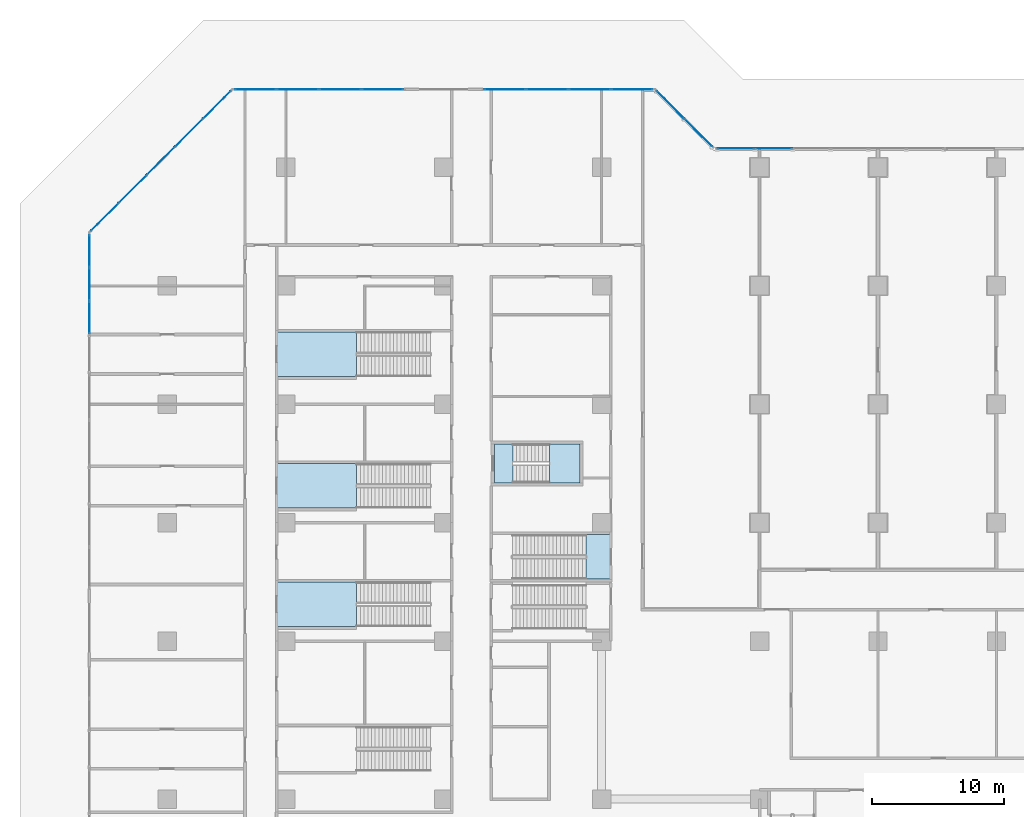
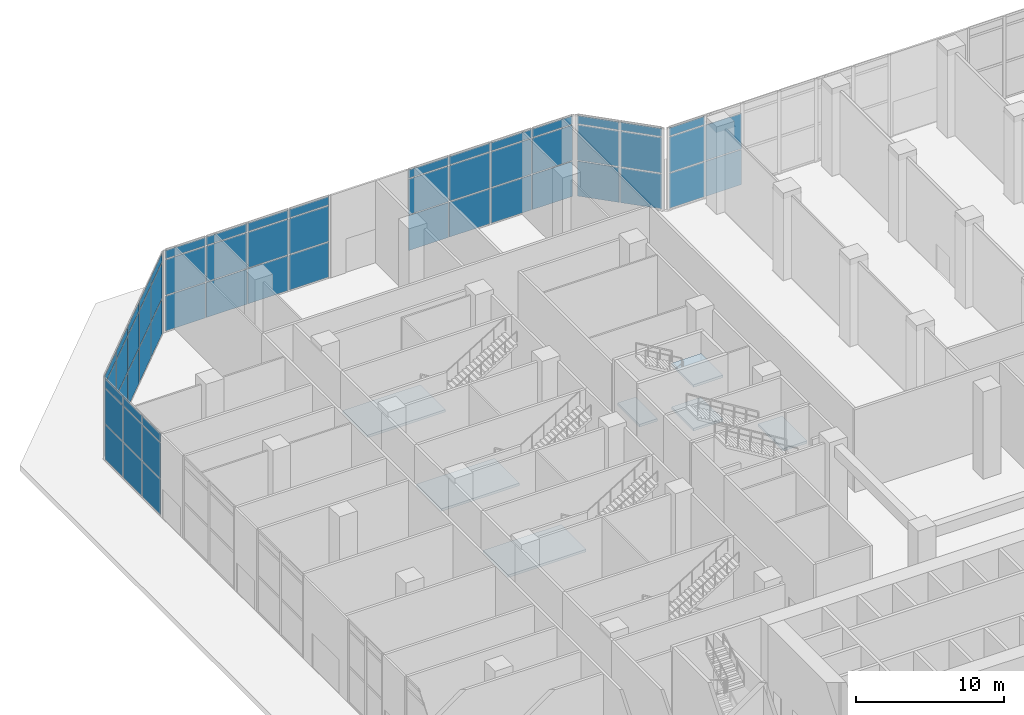
# One storey, part 15 of 34: 59 plates, 7 slabs, 11 elements without a shape of their own.
"""IFC4 building model written with IfcOpenShell, lengths in metres."""

from ifc_helpers import new_model, si_unit, direction, frame, origin, origin_2d, place, context, subcontext, project, spatial, polyline, rectangle, outline, extrude, material, layer, layer_set, type_object, element, aggregate, save


model = new_model("IFC4")

# Units and contexts
model_context = context("Model", 3, precision=1e-05, world=origin(), true_north=direction((0.0, 1.0)))
body_context = subcontext(model_context, "Body", "Model", "MODEL_VIEW")
ifc_project = project(units=[si_unit("LENGTHUNIT", "METRE"), si_unit("AREAUNIT", "SQUARE_METRE"), si_unit("VOLUMEUNIT", "CUBIC_METRE"), si_unit("PLANEANGLEUNIT", "RADIAN"), si_unit("MASSUNIT", "GRAM", prefix="KILO")], contexts=[model_context])

# Site, building, storey
site_placement = place(None, origin())
site = spatial("IfcSite", under=ifc_project, at=site_placement, CompositionType="ELEMENT")
building_placement = place(site_placement, origin())
building = spatial("IfcBuilding", under=site, at=building_placement, Name="Chenar Terraces", CompositionType="ELEMENT")
storey_placement = place(building_placement, origin())
storey = spatial("IfcBuildingStorey", under=building, at=storey_placement, Name="L00", CompositionType="ELEMENT", Elevation=0.0)

# Stair, slabs
ifc_material_1 = material(Name="Reinforced concrete C40/50", Category="concrete")
stair_type = type_object("IfcStairType", Name="Core stair 1400 half-turn", PredefinedType="HALF_TURN_STAIR", material=ifc_material_1)
placement_1 = place(storey_placement, origin())
stair_1 = element("IfcStair", 1, at=placement_1, inside=storey, type_object=stair_type, Name="L00 Stair 4", PredefinedType="HALF_TURN_STAIR")
ifc_material_2 = material(Name="Reinforced concrete C40/50", Category="concrete")
ifc_layer_1 = layer(ifc_material_2, 0.199951171875)
ifc_layer_set_1 = layer_set([ifc_layer_1], Name="Reinforced concrete C40/50")
slab_type = type_object("IfcSlabType", Name="Core stair landing 200", PredefinedType="LANDING", material=ifc_layer_set_1)
slab_1_placement = place(storey_placement, frame((0.0, 0.0, 1.60009765625)))
slab_1 = element("IfcSlab", 2, at=slab_1_placement, type_object=slab_type, Name="ST4 landing 1", PredefinedType="LANDING", context=body_context, shape_type="SweptSolid", body=[
    extrude(outline(polyline([(20.050048828125, 48.02490234375), (22.35009765625, 48.02490234375), (22.35009765625, 50.97509765625), (20.050048828125, 50.97509765625), (20.050048828125, 48.02490234375)])), origin(), (0.0, 0.0, 1.0), 0.199951171875),
])
placement_2 = place(storey_placement, frame((0.0, 0.0, 3.39990234375)))
slab_2 = element("IfcSlab", 3, at=placement_2, type_object=slab_type, Name="ST4 landing 2", PredefinedType="LANDING", context=body_context, shape_type="SweptSolid", body=[
    extrude(outline(polyline([(15.85009765625, 48.02490234375), (17.25, 48.02490234375), (17.25, 50.97509765625), (15.85009765625, 50.97509765625), (15.85009765625, 48.02490234375)])), origin(), (0.0, 0.0, 1.0), 0.2001953125),
])
slab_3_placement = place(storey_placement, frame((0.0, 0.0, 5.199951171875)))
slab_3 = element("IfcSlab", 4, at=slab_3_placement, type_object=slab_type, Name="ST4 landing 3", PredefinedType="LANDING", context=body_context, shape_type="SweptSolid", body=[
    extrude(outline(polyline([(20.050048828125, 48.02490234375), (22.35009765625, 48.02490234375), (22.35009765625, 50.97509765625), (20.050048828125, 50.97509765625), (20.050048828125, 48.02490234375)])), origin(), (0.0, 0.0, 1.0), 0.199951171875),
])
aggregate(stair_1, [slab_1, slab_2, slab_3])

# Stair, slab
stair_2 = element("IfcStair", 5, at=placement_1, inside=storey, type_object=stair_type, Name="L00 Exit stair PS3", PredefinedType="HALF_TURN_STAIR")
slab_4 = element("IfcSlab", 6, at=placement_2, type_object=slab_type, Name="PS3 landing 1", PredefinedType="LANDING", context=body_context, shape_type="SweptSolid", body=[
    extrude(outline(polyline([(5.385009765625, 59.489990234375), (-0.699951171875, 59.489990234375), (-0.699951171875, 56.110107421875), (5.385009765625, 56.110107421875), (5.385009765625, 59.489990234375)])), origin(), (0.0, 0.0, 1.0), 0.2001953125),
])
aggregate(stair_2, [slab_4])

stair_3 = element("IfcStair", 7, at=placement_1, inside=storey, type_object=stair_type, Name="L00 Exit stair PS4", PredefinedType="HALF_TURN_STAIR")
slab_5 = element("IfcSlab", 8, at=placement_2, type_object=slab_type, Name="PS4 landing 1", PredefinedType="LANDING", context=body_context, shape_type="SweptSolid", body=[
    extrude(outline(polyline([(5.385009765625, 49.489990234375), (-0.699951171875, 49.489990234375), (-0.699951171875, 46.110107421875), (5.385009765625, 46.110107421875), (5.385009765625, 49.489990234375)])), origin(), (0.0, 0.0, 1.0), 0.2001953125),
])
aggregate(stair_3, [slab_5])

stair_4 = element("IfcStair", 9, at=placement_1, inside=storey, type_object=stair_type, Name="L00 Exit stair PS8", PredefinedType="HALF_TURN_STAIR")
slab_6 = element("IfcSlab", 10, at=placement_2, type_object=slab_type, Name="PS8 landing 1", PredefinedType="LANDING", context=body_context, shape_type="SweptSolid", body=[
    extrude(outline(polyline([(22.81494140625, 40.7099609375), (24.699951171875, 40.7099609375), (24.699951171875, 44.090087890625), (22.81494140625, 44.090087890625), (22.81494140625, 40.7099609375)])), origin(), (0.0, 0.0, 1.0), 0.2001953125),
])
aggregate(stair_4, [slab_6])

stair_5 = element("IfcStair", 11, at=placement_1, inside=storey, type_object=stair_type, Name="L00 Exit stair PS9", PredefinedType="HALF_TURN_STAIR")
slab_7 = element("IfcSlab", 12, at=placement_2, type_object=slab_type, Name="PS9 landing 1", PredefinedType="LANDING", context=body_context, shape_type="SweptSolid", body=[
    extrude(outline(polyline([(5.385009765625, 40.489990234375), (-0.699951171875, 40.489990234375), (-0.699951171875, 37.110107421875), (5.385009765625, 37.110107421875), (5.385009765625, 40.489990234375)])), origin(), (0.0, 0.0, 1.0), 0.2001953125),
])
aggregate(stair_5, [slab_7])

# Curtain wall, plates
ifc_material_3 = material(Name="Aluminium framed glazing", Category="aluminium")
ifc_layer_2 = layer(ifc_material_3, 0.14990234375)
ifc_layer_set_2 = layer_set([ifc_layer_2], Name="Aluminium framed glazing")
curtain_wall_type = type_object("IfcCurtainWallType", Name="Lobby curtain wall", PredefinedType="NOTDEFINED", material=ifc_layer_set_2)
curtain_wall_1 = element("IfcCurtainWall", 13, at=placement_1, inside=storey, type_object=curtain_wall_type, Name="Lobby curtain wall", PredefinedType="NOTDEFINED")
ifc_material_4 = material(Name="Low emissivity laminated glass, solar control coating", Category="glass")
ifc_layer_3 = layer(ifc_material_4, 0.035888671875)
ifc_layer_set_3 = layer_set([ifc_layer_3], Name="Low emissivity laminated glass, solar control coating")
plate_type = type_object("IfcPlateType", Name="Lobby glazing panel 36", PredefinedType="CURTAIN_PANEL", material=ifc_layer_set_3)
plate_1_placement = place(storey_placement, frame((31.3466796875, 74.63916015625, 0.080078125), z_axis=(0.0, 0.0, 1.0), x_axis=(-0.707106781187, 0.707106781187, 0.0)))
plate_1 = element("IfcPlate", 14, at=plate_1_placement, type_object=plate_type, Name="CW6-010 panel 1.1", PredefinedType="CURTAIN_PANEL", context=body_context, shape_type="SweptSolid", body=[
    extrude(rectangle(XDim=2.911865234375, YDim=0.035888671875, at=origin_2d()), origin(), (0.0, 0.0, 1.0), 2.8798828125),
])
plate_2_placement = place(storey_placement, frame((31.3466796875, 74.63916015625, 3.0400390625), z_axis=(0.0, 0.0, 1.0), x_axis=(-0.707106781187, 0.707106781187, 0.0)))
plate_2 = element("IfcPlate", 15, at=plate_2_placement, type_object=plate_type, Name="CW6-010 panel 1.2", PredefinedType="CURTAIN_PANEL", context=body_context, shape_type="SweptSolid", body=[
    extrude(rectangle(XDim=2.911865234375, YDim=0.035888671875, at=origin_2d()), origin(), (0.0, 0.0, 1.0), 2.919921875),
])
plate_3_placement = place(storey_placement, frame((31.3466796875, 74.63916015625, 6.0400390625), z_axis=(0.0, 0.0, 1.0), x_axis=(-0.707106781187, 0.707106781187, 0.0)))
plate_3 = element("IfcPlate", 16, at=plate_3_placement, type_object=plate_type, Name="CW6-010 panel 1.3", PredefinedType="CURTAIN_PANEL", context=body_context, shape_type="SweptSolid", body=[
    extrude(rectangle(XDim=2.911865234375, YDim=0.035888671875, at=origin_2d()), origin(), (0.0, 0.0, 1.0), 0.679931640625),
])
plate_4_placement = place(storey_placement, frame((29.23095703125, 76.7548828125, 0.080078125), z_axis=(0.0, 0.0, 1.0), x_axis=(-0.707106781187, 0.707106781187, 0.0)))
plate_4 = element("IfcPlate", 17, at=plate_4_placement, type_object=plate_type, Name="CW6-010 panel 2.1", PredefinedType="CURTAIN_PANEL", context=body_context, shape_type="SweptSolid", body=[
    extrude(rectangle(XDim=2.911865234375, YDim=0.035888671875, at=origin_2d()), origin(), (0.0, 0.0, 1.0), 2.8798828125),
])
plate_5_placement = place(storey_placement, frame((29.23095703125, 76.7548828125, 3.0400390625), z_axis=(0.0, 0.0, 1.0), x_axis=(-0.707106781187, 0.707106781187, 0.0)))
plate_5 = element("IfcPlate", 18, at=plate_5_placement, type_object=plate_type, Name="CW6-010 panel 2.2", PredefinedType="CURTAIN_PANEL", context=body_context, shape_type="SweptSolid", body=[
    extrude(rectangle(XDim=2.911865234375, YDim=0.035888671875, at=origin_2d()), origin(), (0.0, 0.0, 1.0), 2.919921875),
])
plate_6_placement = place(storey_placement, frame((29.23095703125, 76.7548828125, 6.0400390625), z_axis=(0.0, 0.0, 1.0), x_axis=(-0.707106781187, 0.707106781187, 0.0)))
plate_6 = element("IfcPlate", 19, at=plate_6_placement, type_object=plate_type, Name="CW6-010 panel 2.3", PredefinedType="CURTAIN_PANEL", context=body_context, shape_type="SweptSolid", body=[
    extrude(rectangle(XDim=2.911865234375, YDim=0.035888671875, at=origin_2d()), origin(), (0.0, 0.0, 1.0), 0.679931640625),
])
aggregate(curtain_wall_1, [plate_1, plate_2, plate_3, plate_4, plate_5, plate_6])

curtain_wall_2 = element("IfcCurtainWall", 20, at=placement_1, inside=storey, type_object=curtain_wall_type, Name="Lobby curtain wall", PredefinedType="NOTDEFINED")
plate_7_placement = place(storey_placement, frame((26.3056640625, 77.925048828125, 0.080078125), z_axis=(0.0, 0.0, 1.0), x_axis=(-1.0, 0.0, 0.0)))
plate_7 = element("IfcPlate", 21, at=plate_7_placement, type_object=plate_type, Name="CW6-02a0 panel 1.1", PredefinedType="CURTAIN_PANEL", context=body_context, shape_type="SweptSolid", body=[
    extrude(rectangle(XDim=3.1123046875, YDim=0.035888671875, at=origin_2d()), origin(), (0.0, 0.0, 1.0), 2.8798828125),
])
plate_8_placement = place(storey_placement, frame((26.3056640625, 77.925048828125, 3.0400390625), z_axis=(0.0, 0.0, 1.0), x_axis=(-1.0, 0.0, 0.0)))
plate_8 = element("IfcPlate", 22, at=plate_8_placement, type_object=plate_type, Name="CW6-02a0 panel 1.2", PredefinedType="CURTAIN_PANEL", context=body_context, shape_type="SweptSolid", body=[
    extrude(rectangle(XDim=3.1123046875, YDim=0.035888671875, at=origin_2d()), origin(), (0.0, 0.0, 1.0), 2.919921875),
])
plate_9_placement = place(storey_placement, frame((26.3056640625, 77.925048828125, 6.0400390625), z_axis=(0.0, 0.0, 1.0), x_axis=(-1.0, 0.0, 0.0)))
plate_9 = element("IfcPlate", 23, at=plate_9_placement, type_object=plate_type, Name="CW6-02a0 panel 1.3", PredefinedType="CURTAIN_PANEL", context=body_context, shape_type="SweptSolid", body=[
    extrude(rectangle(XDim=3.1123046875, YDim=0.035888671875, at=origin_2d()), origin(), (0.0, 0.0, 1.0), 0.679931640625),
])
plate_10_placement = place(storey_placement, frame((23.09326171875, 77.925048828125, 0.080078125), z_axis=(0.0, 0.0, 1.0), x_axis=(-1.0, 0.0, 0.0)))
plate_10 = element("IfcPlate", 24, at=plate_10_placement, type_object=plate_type, Name="CW6-02a0 panel 2.1", PredefinedType="CURTAIN_PANEL", context=body_context, shape_type="SweptSolid", body=[
    extrude(rectangle(XDim=3.15234375, YDim=0.035888671875, at=origin_2d()), origin(), (0.0, 0.0, 1.0), 2.8798828125),
])
plate_11_placement = place(storey_placement, frame((23.09326171875, 77.925048828125, 3.0400390625), z_axis=(0.0, 0.0, 1.0), x_axis=(-1.0, 0.0, 0.0)))
plate_11 = element("IfcPlate", 25, at=plate_11_placement, type_object=plate_type, Name="CW6-02a0 panel 2.2", PredefinedType="CURTAIN_PANEL", context=body_context, shape_type="SweptSolid", body=[
    extrude(rectangle(XDim=3.15234375, YDim=0.035888671875, at=origin_2d()), origin(), (0.0, 0.0, 1.0), 2.919921875),
])
plate_12_placement = place(storey_placement, frame((23.09326171875, 77.925048828125, 6.0400390625), z_axis=(0.0, 0.0, 1.0), x_axis=(-1.0, 0.0, 0.0)))
plate_12 = element("IfcPlate", 26, at=plate_12_placement, type_object=plate_type, Name="CW6-02a0 panel 2.3", PredefinedType="CURTAIN_PANEL", context=body_context, shape_type="SweptSolid", body=[
    extrude(rectangle(XDim=3.15234375, YDim=0.035888671875, at=origin_2d()), origin(), (0.0, 0.0, 1.0), 0.679931640625),
])
plate_13_placement = place(storey_placement, frame((19.861083984375, 77.925048828125, 0.080078125), z_axis=(0.0, 0.0, 1.0), x_axis=(-1.0, 0.0, 0.0)))
plate_13 = element("IfcPlate", 27, at=plate_13_placement, type_object=plate_type, Name="CW6-02a0 panel 3.1", PredefinedType="CURTAIN_PANEL", context=body_context, shape_type="SweptSolid", body=[
    extrude(rectangle(XDim=3.15234375, YDim=0.035888671875, at=origin_2d()), origin(), (0.0, 0.0, 1.0), 2.8798828125),
])
plate_14_placement = place(storey_placement, frame((19.861083984375, 77.925048828125, 3.0400390625), z_axis=(0.0, 0.0, 1.0), x_axis=(-1.0, 0.0, 0.0)))
plate_14 = element("IfcPlate", 28, at=plate_14_placement, type_object=plate_type, Name="CW6-02a0 panel 3.2", PredefinedType="CURTAIN_PANEL", context=body_context, shape_type="SweptSolid", body=[
    extrude(rectangle(XDim=3.15234375, YDim=0.035888671875, at=origin_2d()), origin(), (0.0, 0.0, 1.0), 2.919921875),
])
plate_15_placement = place(storey_placement, frame((19.861083984375, 77.925048828125, 6.0400390625), z_axis=(0.0, 0.0, 1.0), x_axis=(-1.0, 0.0, 0.0)))
plate_15 = element("IfcPlate", 29, at=plate_15_placement, type_object=plate_type, Name="CW6-02a0 panel 3.3", PredefinedType="CURTAIN_PANEL", context=body_context, shape_type="SweptSolid", body=[
    extrude(rectangle(XDim=3.15234375, YDim=0.035888671875, at=origin_2d()), origin(), (0.0, 0.0, 1.0), 0.679931640625),
])
plate_16_placement = place(storey_placement, frame((16.648681640625, 77.925048828125, 0.080078125), z_axis=(0.0, 0.0, 1.0), x_axis=(-1.0, 0.0, 0.0)))
plate_16 = element("IfcPlate", 30, at=plate_16_placement, type_object=plate_type, Name="CW6-02a0 panel 4.1", PredefinedType="CURTAIN_PANEL", context=body_context, shape_type="SweptSolid", body=[
    extrude(rectangle(XDim=3.1123046875, YDim=0.035888671875, at=origin_2d()), origin(), (0.0, 0.0, 1.0), 2.8798828125),
])
plate_17_placement = place(storey_placement, frame((16.648681640625, 77.925048828125, 3.0400390625), z_axis=(0.0, 0.0, 1.0), x_axis=(-1.0, 0.0, 0.0)))
plate_17 = element("IfcPlate", 31, at=plate_17_placement, type_object=plate_type, Name="CW6-02a0 panel 4.2", PredefinedType="CURTAIN_PANEL", context=body_context, shape_type="SweptSolid", body=[
    extrude(rectangle(XDim=3.1123046875, YDim=0.035888671875, at=origin_2d()), origin(), (0.0, 0.0, 1.0), 2.919921875),
])
plate_18_placement = place(storey_placement, frame((16.648681640625, 77.925048828125, 6.0400390625), z_axis=(0.0, 0.0, 1.0), x_axis=(-1.0, 0.0, 0.0)))
plate_18 = element("IfcPlate", 32, at=plate_18_placement, type_object=plate_type, Name="CW6-02a0 panel 4.3", PredefinedType="CURTAIN_PANEL", context=body_context, shape_type="SweptSolid", body=[
    extrude(rectangle(XDim=3.1123046875, YDim=0.035888671875, at=origin_2d()), origin(), (0.0, 0.0, 1.0), 0.679931640625),
])
aggregate(curtain_wall_2, [plate_7, plate_8, plate_9, plate_10, plate_11, plate_12, plate_13, plate_14, plate_15, plate_16, plate_17, plate_18])

curtain_wall_3 = element("IfcCurtainWall", 33, at=placement_1, inside=storey, type_object=curtain_wall_type, Name="Lobby curtain wall", PredefinedType="NOTDEFINED")
plate_19_placement = place(storey_placement, frame((7.351318359375, 77.925048828125, 0.080078125), z_axis=(0.0, 0.0, 1.0), x_axis=(-1.0, 0.0, 0.0)))
plate_19 = element("IfcPlate", 34, at=plate_19_placement, type_object=plate_type, Name="CW6-02b0 panel 1.1", PredefinedType="CURTAIN_PANEL", context=body_context, shape_type="SweptSolid", body=[
    extrude(rectangle(XDim=3.1123046875, YDim=0.035888671875, at=origin_2d()), origin(), (0.0, 0.0, 1.0), 2.8798828125),
])
plate_20_placement = place(storey_placement, frame((7.351318359375, 77.925048828125, 3.0400390625), z_axis=(0.0, 0.0, 1.0), x_axis=(-1.0, 0.0, 0.0)))
plate_20 = element("IfcPlate", 35, at=plate_20_placement, type_object=plate_type, Name="CW6-02b0 panel 1.2", PredefinedType="CURTAIN_PANEL", context=body_context, shape_type="SweptSolid", body=[
    extrude(rectangle(XDim=3.1123046875, YDim=0.035888671875, at=origin_2d()), origin(), (0.0, 0.0, 1.0), 2.919921875),
])
plate_21_placement = place(storey_placement, frame((7.351318359375, 77.925048828125, 6.0400390625), z_axis=(0.0, 0.0, 1.0), x_axis=(-1.0, 0.0, 0.0)))
plate_21 = element("IfcPlate", 36, at=plate_21_placement, type_object=plate_type, Name="CW6-02b0 panel 1.3", PredefinedType="CURTAIN_PANEL", context=body_context, shape_type="SweptSolid", body=[
    extrude(rectangle(XDim=3.1123046875, YDim=0.035888671875, at=origin_2d()), origin(), (0.0, 0.0, 1.0), 0.679931640625),
])
plate_22_placement = place(storey_placement, frame((4.138916015625, 77.925048828125, 0.080078125), z_axis=(0.0, 0.0, 1.0), x_axis=(-1.0, 0.0, 0.0)))
plate_22 = element("IfcPlate", 37, at=plate_22_placement, type_object=plate_type, Name="CW6-02b0 panel 2.1", PredefinedType="CURTAIN_PANEL", context=body_context, shape_type="SweptSolid", body=[
    extrude(rectangle(XDim=3.15234375, YDim=0.035888671875, at=origin_2d()), origin(), (0.0, 0.0, 1.0), 2.8798828125),
])
plate_23_placement = place(storey_placement, frame((4.138916015625, 77.925048828125, 3.0400390625), z_axis=(0.0, 0.0, 1.0), x_axis=(-1.0, 0.0, 0.0)))
plate_23 = element("IfcPlate", 38, at=plate_23_placement, type_object=plate_type, Name="CW6-02b0 panel 2.2", PredefinedType="CURTAIN_PANEL", context=body_context, shape_type="SweptSolid", body=[
    extrude(rectangle(XDim=3.15234375, YDim=0.035888671875, at=origin_2d()), origin(), (0.0, 0.0, 1.0), 2.919921875),
])
plate_24_placement = place(storey_placement, frame((4.138916015625, 77.925048828125, 6.0400390625), z_axis=(0.0, 0.0, 1.0), x_axis=(-1.0, 0.0, 0.0)))
plate_24 = element("IfcPlate", 39, at=plate_24_placement, type_object=plate_type, Name="CW6-02b0 panel 2.3", PredefinedType="CURTAIN_PANEL", context=body_context, shape_type="SweptSolid", body=[
    extrude(rectangle(XDim=3.15234375, YDim=0.035888671875, at=origin_2d()), origin(), (0.0, 0.0, 1.0), 0.679931640625),
])
plate_25_placement = place(storey_placement, frame((0.90673828125, 77.925048828125, 0.080078125), z_axis=(0.0, 0.0, 1.0), x_axis=(-1.0, 0.0, 0.0)))
plate_25 = element("IfcPlate", 40, at=plate_25_placement, type_object=plate_type, Name="CW6-02b0 panel 3.1", PredefinedType="CURTAIN_PANEL", context=body_context, shape_type="SweptSolid", body=[
    extrude(rectangle(XDim=3.15234375, YDim=0.035888671875, at=origin_2d()), origin(), (0.0, 0.0, 1.0), 2.8798828125),
])
plate_26_placement = place(storey_placement, frame((0.90673828125, 77.925048828125, 3.0400390625), z_axis=(0.0, 0.0, 1.0), x_axis=(-1.0, 0.0, 0.0)))
plate_26 = element("IfcPlate", 41, at=plate_26_placement, type_object=plate_type, Name="CW6-02b0 panel 3.2", PredefinedType="CURTAIN_PANEL", context=body_context, shape_type="SweptSolid", body=[
    extrude(rectangle(XDim=3.15234375, YDim=0.035888671875, at=origin_2d()), origin(), (0.0, 0.0, 1.0), 2.919921875),
])
plate_27_placement = place(storey_placement, frame((0.90673828125, 77.925048828125, 6.0400390625), z_axis=(0.0, 0.0, 1.0), x_axis=(-1.0, 0.0, 0.0)))
plate_27 = element("IfcPlate", 42, at=plate_27_placement, type_object=plate_type, Name="CW6-02b0 panel 3.3", PredefinedType="CURTAIN_PANEL", context=body_context, shape_type="SweptSolid", body=[
    extrude(rectangle(XDim=3.15234375, YDim=0.035888671875, at=origin_2d()), origin(), (0.0, 0.0, 1.0), 0.679931640625),
])
plate_28_placement = place(storey_placement, frame((-2.3056640625, 77.925048828125, 0.080078125), z_axis=(0.0, 0.0, 1.0), x_axis=(-1.0, 0.0, 0.0)))
plate_28 = element("IfcPlate", 43, at=plate_28_placement, type_object=plate_type, Name="CW6-02b0 panel 4.1", PredefinedType="CURTAIN_PANEL", context=body_context, shape_type="SweptSolid", body=[
    extrude(rectangle(XDim=3.1123046875, YDim=0.035888671875, at=origin_2d()), origin(), (0.0, 0.0, 1.0), 2.8798828125),
])
plate_29_placement = place(storey_placement, frame((-2.3056640625, 77.925048828125, 3.0400390625), z_axis=(0.0, 0.0, 1.0), x_axis=(-1.0, 0.0, 0.0)))
plate_29 = element("IfcPlate", 44, at=plate_29_placement, type_object=plate_type, Name="CW6-02b0 panel 4.2", PredefinedType="CURTAIN_PANEL", context=body_context, shape_type="SweptSolid", body=[
    extrude(rectangle(XDim=3.1123046875, YDim=0.035888671875, at=origin_2d()), origin(), (0.0, 0.0, 1.0), 2.919921875),
])
plate_30_placement = place(storey_placement, frame((-2.3056640625, 77.925048828125, 6.0400390625), z_axis=(0.0, 0.0, 1.0), x_axis=(-1.0, 0.0, 0.0)))
plate_30 = element("IfcPlate", 45, at=plate_30_placement, type_object=plate_type, Name="CW6-02b0 panel 4.3", PredefinedType="CURTAIN_PANEL", context=body_context, shape_type="SweptSolid", body=[
    extrude(rectangle(XDim=3.1123046875, YDim=0.035888671875, at=origin_2d()), origin(), (0.0, 0.0, 1.0), 0.679931640625),
])
aggregate(curtain_wall_3, [plate_19, plate_20, plate_21, plate_22, plate_23, plate_24, plate_25, plate_26, plate_27, plate_28, plate_29, plate_30])

curtain_wall_4 = element("IfcCurtainWall", 46, at=placement_1, inside=storey, type_object=curtain_wall_type, Name="Lobby curtain wall", PredefinedType="NOTDEFINED")
plate_31_placement = place(storey_placement, frame((-5.228759765625, 76.757080078125, 0.080078125), z_axis=(0.0, 0.0, 1.0), x_axis=(-0.707106781187, -0.707106781187, 0.0)))
plate_31 = element("IfcPlate", 47, at=plate_31_placement, type_object=plate_type, Name="CW6-030 panel 1.1", PredefinedType="CURTAIN_PANEL", context=body_context, shape_type="SweptSolid", body=[
    extrude(rectangle(XDim=2.9052734375, YDim=0.035888671875, at=origin_2d()), origin(), (0.0, 0.0, 1.0), 2.8798828125),
])
plate_32_placement = place(storey_placement, frame((-5.228759765625, 76.757080078125, 3.0400390625), z_axis=(0.0, 0.0, 1.0), x_axis=(-0.707106781187, -0.707106781187, 0.0)))
plate_32 = element("IfcPlate", 48, at=plate_32_placement, type_object=plate_type, Name="CW6-030 panel 1.2", PredefinedType="CURTAIN_PANEL", context=body_context, shape_type="SweptSolid", body=[
    extrude(rectangle(XDim=2.9052734375, YDim=0.035888671875, at=origin_2d()), origin(), (0.0, 0.0, 1.0), 2.919921875),
])
plate_33_placement = place(storey_placement, frame((-5.228759765625, 76.757080078125, 6.0400390625), z_axis=(0.0, 0.0, 1.0), x_axis=(-0.707106781187, -0.707106781187, 0.0)))
plate_33 = element("IfcPlate", 49, at=plate_33_placement, type_object=plate_type, Name="CW6-030 panel 1.3", PredefinedType="CURTAIN_PANEL", context=body_context, shape_type="SweptSolid", body=[
    extrude(rectangle(XDim=2.9052734375, YDim=0.035888671875, at=origin_2d()), origin(), (0.0, 0.0, 1.0), 0.679931640625),
])
plate_34_placement = place(storey_placement, frame((-7.353759765625, 74.632080078125, 0.080078125), z_axis=(0.0, 0.0, 1.0), x_axis=(-0.707106781187, -0.707106781187, 0.0)))
plate_34 = element("IfcPlate", 50, at=plate_34_placement, type_object=plate_type, Name="CW6-030 panel 2.1", PredefinedType="CURTAIN_PANEL", context=body_context, shape_type="SweptSolid", body=[
    extrude(rectangle(XDim=2.9453125, YDim=0.035888671875, at=origin_2d()), origin(), (0.0, 0.0, 1.0), 2.8798828125),
])
plate_35_placement = place(storey_placement, frame((-7.353759765625, 74.632080078125, 3.0400390625), z_axis=(0.0, 0.0, 1.0), x_axis=(-0.707106781187, -0.707106781187, 0.0)))
plate_35 = element("IfcPlate", 51, at=plate_35_placement, type_object=plate_type, Name="CW6-030 panel 2.2", PredefinedType="CURTAIN_PANEL", context=body_context, shape_type="SweptSolid", body=[
    extrude(rectangle(XDim=2.9453125, YDim=0.035888671875, at=origin_2d()), origin(), (0.0, 0.0, 1.0), 2.919921875),
])
plate_36_placement = place(storey_placement, frame((-7.353759765625, 74.632080078125, 6.0400390625), z_axis=(0.0, 0.0, 1.0), x_axis=(-0.707106781187, -0.707106781187, 0.0)))
plate_36 = element("IfcPlate", 52, at=plate_36_placement, type_object=plate_type, Name="CW6-030 panel 2.3", PredefinedType="CURTAIN_PANEL", context=body_context, shape_type="SweptSolid", body=[
    extrude(rectangle(XDim=2.9453125, YDim=0.035888671875, at=origin_2d()), origin(), (0.0, 0.0, 1.0), 0.679931640625),
])
plate_37_placement = place(storey_placement, frame((-9.492919921875, 72.492919921875, 0.080078125), z_axis=(0.0, 0.0, 1.0), x_axis=(-0.707106781187, -0.707106781187, 0.0)))
plate_37 = element("IfcPlate", 53, at=plate_37_placement, type_object=plate_type, Name="CW6-030 panel 3.1", PredefinedType="CURTAIN_PANEL", context=body_context, shape_type="SweptSolid", body=[
    extrude(rectangle(XDim=2.9453125, YDim=0.035888671875, at=origin_2d()), origin(), (0.0, 0.0, 1.0), 2.8798828125),
])
plate_38_placement = place(storey_placement, frame((-9.492919921875, 72.492919921875, 3.0400390625), z_axis=(0.0, 0.0, 1.0), x_axis=(-0.707106781187, -0.707106781187, 0.0)))
plate_38 = element("IfcPlate", 54, at=plate_38_placement, type_object=plate_type, Name="CW6-030 panel 3.2", PredefinedType="CURTAIN_PANEL", context=body_context, shape_type="SweptSolid", body=[
    extrude(rectangle(XDim=2.9453125, YDim=0.035888671875, at=origin_2d()), origin(), (0.0, 0.0, 1.0), 2.919921875),
])
plate_39_placement = place(storey_placement, frame((-9.492919921875, 72.492919921875, 6.0400390625), z_axis=(0.0, 0.0, 1.0), x_axis=(-0.707106781187, -0.707106781187, 0.0)))
plate_39 = element("IfcPlate", 55, at=plate_39_placement, type_object=plate_type, Name="CW6-030 panel 3.3", PredefinedType="CURTAIN_PANEL", context=body_context, shape_type="SweptSolid", body=[
    extrude(rectangle(XDim=2.9453125, YDim=0.035888671875, at=origin_2d()), origin(), (0.0, 0.0, 1.0), 0.679931640625),
])
plate_40_placement = place(storey_placement, frame((-11.632080078125, 70.353759765625, 0.080078125), z_axis=(0.0, 0.0, 1.0), x_axis=(-0.707106781187, -0.707106781187, 0.0)))
plate_40 = element("IfcPlate", 56, at=plate_40_placement, type_object=plate_type, Name="CW6-030 panel 4.1", PredefinedType="CURTAIN_PANEL", context=body_context, shape_type="SweptSolid", body=[
    extrude(rectangle(XDim=2.9453125, YDim=0.035888671875, at=origin_2d()), origin(), (0.0, 0.0, 1.0), 2.8798828125),
])
plate_41_placement = place(storey_placement, frame((-11.632080078125, 70.353759765625, 3.0400390625), z_axis=(0.0, 0.0, 1.0), x_axis=(-0.707106781187, -0.707106781187, 0.0)))
plate_41 = element("IfcPlate", 57, at=plate_41_placement, type_object=plate_type, Name="CW6-030 panel 4.2", PredefinedType="CURTAIN_PANEL", context=body_context, shape_type="SweptSolid", body=[
    extrude(rectangle(XDim=2.9453125, YDim=0.035888671875, at=origin_2d()), origin(), (0.0, 0.0, 1.0), 2.919921875),
])
plate_42_placement = place(storey_placement, frame((-11.632080078125, 70.353759765625, 6.0400390625), z_axis=(0.0, 0.0, 1.0), x_axis=(-0.707106781187, -0.707106781187, 0.0)))
plate_42 = element("IfcPlate", 58, at=plate_42_placement, type_object=plate_type, Name="CW6-030 panel 4.3", PredefinedType="CURTAIN_PANEL", context=body_context, shape_type="SweptSolid", body=[
    extrude(rectangle(XDim=2.9453125, YDim=0.035888671875, at=origin_2d()), origin(), (0.0, 0.0, 1.0), 0.679931640625),
])
plate_43_placement = place(storey_placement, frame((-13.757080078125, 68.228759765625, 0.080078125), z_axis=(0.0, 0.0, 1.0), x_axis=(-0.707106781187, -0.707106781187, 0.0)))
plate_43 = element("IfcPlate", 59, at=plate_43_placement, type_object=plate_type, Name="CW6-030 panel 5.1", PredefinedType="CURTAIN_PANEL", context=body_context, shape_type="SweptSolid", body=[
    extrude(rectangle(XDim=2.9052734375, YDim=0.035888671875, at=origin_2d()), origin(), (0.0, 0.0, 1.0), 2.8798828125),
])
plate_44_placement = place(storey_placement, frame((-13.757080078125, 68.228759765625, 3.0400390625), z_axis=(0.0, 0.0, 1.0), x_axis=(-0.707106781187, -0.707106781187, 0.0)))
plate_44 = element("IfcPlate", 60, at=plate_44_placement, type_object=plate_type, Name="CW6-030 panel 5.2", PredefinedType="CURTAIN_PANEL", context=body_context, shape_type="SweptSolid", body=[
    extrude(rectangle(XDim=2.9052734375, YDim=0.035888671875, at=origin_2d()), origin(), (0.0, 0.0, 1.0), 2.919921875),
])
plate_45_placement = place(storey_placement, frame((-13.757080078125, 68.228759765625, 6.0400390625), z_axis=(0.0, 0.0, 1.0), x_axis=(-0.707106781187, -0.707106781187, 0.0)))
plate_45 = element("IfcPlate", 61, at=plate_45_placement, type_object=plate_type, Name="CW6-030 panel 5.3", PredefinedType="CURTAIN_PANEL", context=body_context, shape_type="SweptSolid", body=[
    extrude(rectangle(XDim=2.9052734375, YDim=0.035888671875, at=origin_2d()), origin(), (0.0, 0.0, 1.0), 0.679931640625),
])
aggregate(curtain_wall_4, [plate_31, plate_32, plate_33, plate_34, plate_35, plate_36, plate_37, plate_38, plate_39, plate_40, plate_41, plate_42, plate_43, plate_44, plate_45])

curtain_wall_5 = element("IfcCurtainWall", 62, at=placement_1, inside=storey, type_object=curtain_wall_type, Name="Lobby curtain wall", PredefinedType="NOTDEFINED")
plate_46_placement = place(storey_placement, frame((-14.925048828125, 65.650390625, 0.080078125), z_axis=(0.0, 0.0, 1.0), x_axis=(0.0, -1.0, 0.0)))
plate_46 = element("IfcPlate", 63, at=plate_46_placement, type_object=plate_type, Name="CW6-04p10 panel 1.1", PredefinedType="CURTAIN_PANEL", context=body_context, shape_type="SweptSolid", body=[
    extrude(rectangle(XDim=2.423095703125, YDim=0.035888671875, at=origin_2d()), origin(), (0.0, 0.0, 1.0), 2.8798828125),
])
plate_47_placement = place(storey_placement, frame((-14.925048828125, 65.650390625, 3.0400390625), z_axis=(0.0, 0.0, 1.0), x_axis=(0.0, -1.0, 0.0)))
plate_47 = element("IfcPlate", 64, at=plate_47_placement, type_object=plate_type, Name="CW6-04p10 panel 1.2", PredefinedType="CURTAIN_PANEL", context=body_context, shape_type="SweptSolid", body=[
    extrude(rectangle(XDim=2.423095703125, YDim=0.035888671875, at=origin_2d()), origin(), (0.0, 0.0, 1.0), 2.919921875),
])
plate_48_placement = place(storey_placement, frame((-14.925048828125, 65.650390625, 6.0400390625), z_axis=(0.0, 0.0, 1.0), x_axis=(0.0, -1.0, 0.0)))
plate_48 = element("IfcPlate", 65, at=plate_48_placement, type_object=plate_type, Name="CW6-04p10 panel 1.3", PredefinedType="CURTAIN_PANEL", context=body_context, shape_type="SweptSolid", body=[
    extrude(rectangle(XDim=2.423095703125, YDim=0.035888671875, at=origin_2d()), origin(), (0.0, 0.0, 1.0), 0.679931640625),
])
plate_49_placement = place(storey_placement, frame((-14.925048828125, 63.127197265625, 0.080078125), z_axis=(0.0, 0.0, 1.0), x_axis=(0.0, -1.0, 0.0)))
plate_49 = element("IfcPlate", 66, at=plate_49_placement, type_object=plate_type, Name="CW6-04p10 panel 2.1", PredefinedType="CURTAIN_PANEL", context=body_context, shape_type="SweptSolid", body=[
    extrude(rectangle(XDim=2.463134765625, YDim=0.035888671875, at=origin_2d()), origin(), (0.0, 0.0, 1.0), 2.8798828125),
])
plate_50_placement = place(storey_placement, frame((-14.925048828125, 63.127197265625, 3.0400390625), z_axis=(0.0, 0.0, 1.0), x_axis=(0.0, -1.0, 0.0)))
plate_50 = element("IfcPlate", 67, at=plate_50_placement, type_object=plate_type, Name="CW6-04p10 panel 2.2", PredefinedType="CURTAIN_PANEL", context=body_context, shape_type="SweptSolid", body=[
    extrude(rectangle(XDim=2.463134765625, YDim=0.035888671875, at=origin_2d()), origin(), (0.0, 0.0, 1.0), 2.919921875),
])
plate_51_placement = place(storey_placement, frame((-14.925048828125, 63.127197265625, 6.0400390625), z_axis=(0.0, 0.0, 1.0), x_axis=(0.0, -1.0, 0.0)))
plate_51 = element("IfcPlate", 68, at=plate_51_placement, type_object=plate_type, Name="CW6-04p10 panel 2.3", PredefinedType="CURTAIN_PANEL", context=body_context, shape_type="SweptSolid", body=[
    extrude(rectangle(XDim=2.463134765625, YDim=0.035888671875, at=origin_2d()), origin(), (0.0, 0.0, 1.0), 0.679931640625),
])
plate_52_placement = place(storey_placement, frame((-14.925048828125, 60.60400390625, 0.080078125), z_axis=(0.0, 0.0, 1.0), x_axis=(0.0, -1.0, 0.0)))
plate_52 = element("IfcPlate", 69, at=plate_52_placement, type_object=plate_type, Name="CW6-04p10 panel 3.1", PredefinedType="CURTAIN_PANEL", context=body_context, shape_type="SweptSolid", body=[
    extrude(rectangle(XDim=2.423095703125, YDim=0.035888671875, at=origin_2d()), origin(), (0.0, 0.0, 1.0), 2.8798828125),
])
plate_53_placement = place(storey_placement, frame((-14.925048828125, 60.60400390625, 3.0400390625), z_axis=(0.0, 0.0, 1.0), x_axis=(0.0, -1.0, 0.0)))
plate_53 = element("IfcPlate", 70, at=plate_53_placement, type_object=plate_type, Name="CW6-04p10 panel 3.2", PredefinedType="CURTAIN_PANEL", context=body_context, shape_type="SweptSolid", body=[
    extrude(rectangle(XDim=2.423095703125, YDim=0.035888671875, at=origin_2d()), origin(), (0.0, 0.0, 1.0), 2.919921875),
])
plate_54_placement = place(storey_placement, frame((-14.925048828125, 60.60400390625, 6.0400390625), z_axis=(0.0, 0.0, 1.0), x_axis=(0.0, -1.0, 0.0)))
plate_54 = element("IfcPlate", 71, at=plate_54_placement, type_object=plate_type, Name="CW6-04p10 panel 3.3", PredefinedType="CURTAIN_PANEL", context=body_context, shape_type="SweptSolid", body=[
    extrude(rectangle(XDim=2.423095703125, YDim=0.035888671875, at=origin_2d()), origin(), (0.0, 0.0, 1.0), 0.679931640625),
])
aggregate(curtain_wall_5, [plate_46, plate_47, plate_48, plate_49, plate_50, plate_51, plate_52, plate_53, plate_54])

curtain_wall_6 = element("IfcCurtainWall", 72, at=placement_1, inside=storey, type_object=curtain_wall_type, Name="Lobby curtain wall", PredefinedType="NOTDEFINED")
plate_55_placement = place(storey_placement, frame((37.064697265625, 73.425048828125, 0.080078125), z_axis=(0.0, 0.0, 1.0), x_axis=(-1.0, 0.0, 0.0)))
plate_55 = element("IfcPlate", 73, at=plate_55_placement, type_object=plate_type, Name="CW6-11b0 panel 5.1", PredefinedType="CURTAIN_PANEL", context=body_context, shape_type="SweptSolid", body=[
    extrude(rectangle(XDim=2.802001953125, YDim=0.035888671875, at=origin_2d()), origin(), (0.0, 0.0, 1.0), 2.8798828125),
])
plate_56_placement = place(storey_placement, frame((37.064697265625, 73.425048828125, 3.0400390625), z_axis=(0.0, 0.0, 1.0), x_axis=(-1.0, 0.0, 0.0)))
plate_56 = element("IfcPlate", 74, at=plate_56_placement, type_object=plate_type, Name="CW6-11b0 panel 5.2", PredefinedType="CURTAIN_PANEL", context=body_context, shape_type="SweptSolid", body=[
    extrude(rectangle(XDim=2.802001953125, YDim=0.035888671875, at=origin_2d()), origin(), (0.0, 0.0, 1.0), 2.919921875),
])
plate_57_placement = place(storey_placement, frame((34.202880859375, 73.425048828125, 0.080078125), z_axis=(0.0, 0.0, 1.0), x_axis=(-1.0, 0.0, 0.0)))
plate_57 = element("IfcPlate", 75, at=plate_57_placement, type_object=plate_type, Name="CW6-11b0 panel 6.1", PredefinedType="CURTAIN_PANEL", context=body_context, shape_type="SweptSolid", body=[
    extrude(rectangle(XDim=2.761962890625, YDim=0.035888671875, at=origin_2d()), origin(), (0.0, 0.0, 1.0), 2.8798828125),
])
plate_58_placement = place(storey_placement, frame((34.202880859375, 73.425048828125, 3.0400390625), z_axis=(0.0, 0.0, 1.0), x_axis=(-1.0, 0.0, 0.0)))
plate_58 = element("IfcPlate", 76, at=plate_58_placement, type_object=plate_type, Name="CW6-11b0 panel 6.2", PredefinedType="CURTAIN_PANEL", context=body_context, shape_type="SweptSolid", body=[
    extrude(rectangle(XDim=2.761962890625, YDim=0.035888671875, at=origin_2d()), origin(), (0.0, 0.0, 1.0), 2.919921875),
])
plate_59_placement = place(storey_placement, frame((34.202880859375, 73.425048828125, 6.0400390625), z_axis=(0.0, 0.0, 1.0), x_axis=(-1.0, 0.0, 0.0)))
plate_59 = element("IfcPlate", 77, at=plate_59_placement, type_object=plate_type, Name="CW6-11b0 panel 6.3", PredefinedType="CURTAIN_PANEL", context=body_context, shape_type="SweptSolid", body=[
    extrude(rectangle(XDim=2.761962890625, YDim=0.035888671875, at=origin_2d()), origin(), (0.0, 0.0, 1.0), 0.679931640625),
])
aggregate(curtain_wall_6, [plate_55, plate_56, plate_57, plate_58, plate_59])

save(model, "model.ifc")
